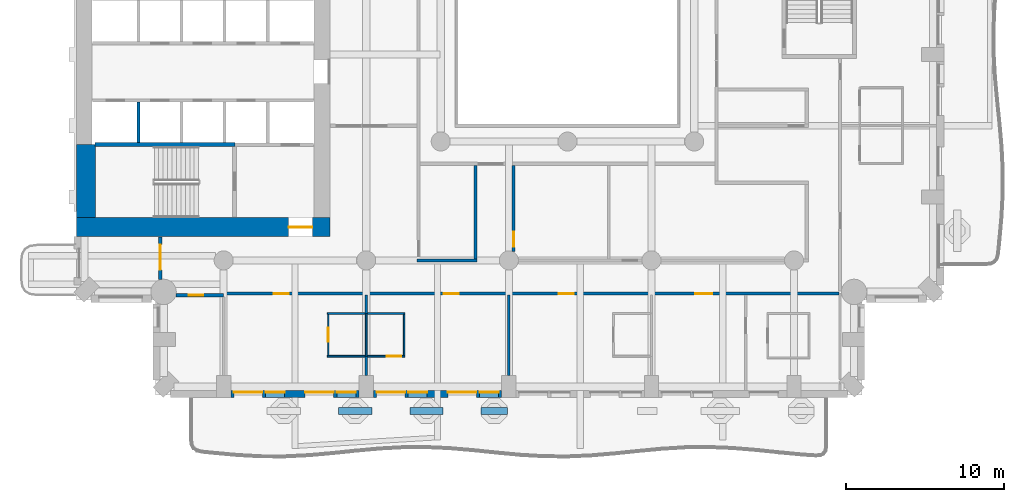
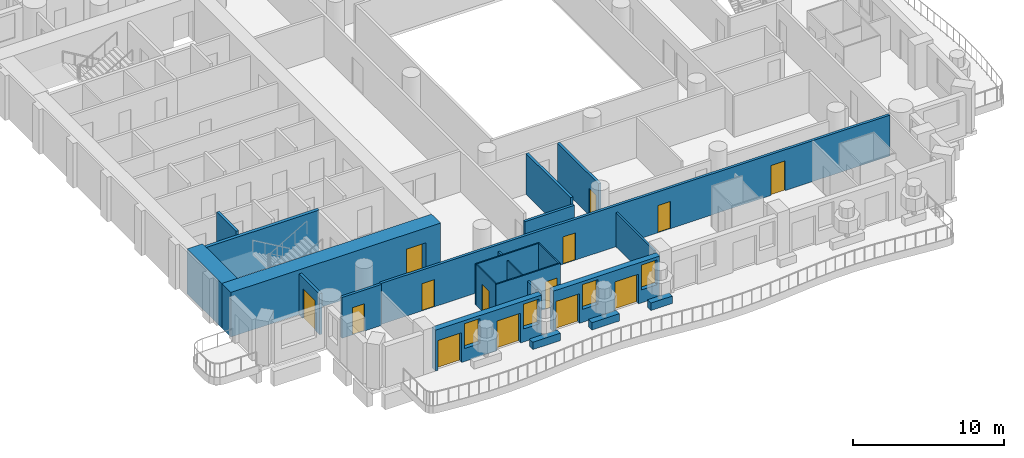
# One storey, part 3 of 19: 23 walls, 14 doors, 4 windows, 18 openings.
"""IFC4 building model written with IfcOpenShell, lengths in metres."""

from ifc_helpers import new_model, si_unit, direction, frame, frame_2d, origin, place, context, subcontext, project, spatial, rectangle, extrude, material, layer, layer_set, type_object, element, fill, save


model = new_model("IFC4")

# Units and contexts
model_context = context("Model", 3, precision=1e-05, world=origin(), true_north=direction((0.0, 1.0)))
body_context = subcontext(model_context, "Body", "Model", "MODEL_VIEW")
ifc_project = project(units=[si_unit("LENGTHUNIT", "METRE"), si_unit("AREAUNIT", "SQUARE_METRE"), si_unit("VOLUMEUNIT", "CUBIC_METRE"), si_unit("PLANEANGLEUNIT", "RADIAN"), si_unit("MASSUNIT", "GRAM", prefix="KILO")], contexts=[model_context])

# Site, building, storey
site_placement = place(None, origin())
site = spatial("IfcSite", under=ifc_project, at=site_placement, CompositionType="ELEMENT")
building_placement = place(site_placement, origin())
building = spatial("IfcBuilding", under=site, at=building_placement, Name="Cypress Arch Tower", CompositionType="ELEMENT")
storey_placement = place(building_placement, frame((0.0, 0.0, 69.89990234375)))
storey = spatial("IfcBuildingStorey", under=building, at=storey_placement, Name="L11", CompositionType="ELEMENT", Elevation=69.89990234375)

# Walls
ifc_material_1 = material(Name="Concrete C40/50, waterproofed", Category="concrete")
ifc_layer_1 = layer(ifc_material_1, 0.449951171875)
ifc_layer_set_1 = layer_set([ifc_layer_1], Name="Balcony planter wall PW450")
wall_type_1 = type_object("IfcWallType", Name="Balcony planter wall PW450", PredefinedType="SOLIDWALL", material=ifc_layer_set_1)
for number, where, z_axis, x_axis, name in (
    (1, (-13.449951171875, -27.0, 0.0), (0.0, 0.0, 1.0), (1.0, 0.0, 0.0), "Balcony planter wall L11-A03.2"),
    (2, (-8.949951171875, -27.0, 0.0), (0.0, 0.0, 1.0), (1.0, 0.0, 0.0), "Balcony planter wall L11-A03.3"),
):
    element("IfcWall", number, at=place(storey_placement, frame(where, z_axis=z_axis, x_axis=x_axis)), inside=storey, type_object=wall_type_1, Name=name, PredefinedType="SOLIDWALL", context=body_context, shape_type="SweptSolid", body=[
        extrude(rectangle(XDim=2.099853515625, YDim=0.449951171875, at=frame_2d((1.0498046875, 0.0))), origin(), (0.0, 0.0, 1.0), 0.60009765625),
    ])
wall_1_placement = place(storey_placement, frame((-4.449951171875, -27.0, 0.0), z_axis=(0.0, 0.0, 1.0), x_axis=(1.0, 0.0, 0.0)))
element("IfcWall", 3, at=wall_1_placement, inside=storey, type_object=wall_type_1, Name="Balcony planter wall L11-A03.4", PredefinedType="SOLIDWALL", context=body_context, shape_type="SweptSolid", body=[
    extrude(rectangle(XDim=1.64990234375, YDim=0.449951171875, at=frame_2d((0.824951171875, 0.0))), origin(), (0.0, 0.0, 1.0), 0.60009765625),
])

# Wall, openings, doors, windows
ifc_material_2 = material(Name="Brick (red buff blend)", Category="masonry")
ifc_layer_2 = layer(ifc_material_2, 0.449951171875)
ifc_layer_set_2 = layer_set([ifc_layer_2], Name="Brick pier and spandrel wall BW450")
wall_type_2 = type_object("IfcWallType", Name="Brick pier and spandrel wall BW450", PredefinedType="SOLIDWALL", material=ifc_layer_set_2)
wall_2_placement = place(storey_placement, frame((-20.25, -25.925048828125, 0.0), z_axis=(0.0, 0.0, 1.0), x_axis=(1.0, 0.0, 0.0)))
wall_2 = element("IfcWall", 4, at=wall_2_placement, inside=storey, type_object=wall_type_2, Name="Brick wall L11 A03.1", PredefinedType="SOLIDWALL", context=body_context, shape_type="SweptSolid", body=[
    extrude(rectangle(XDim=8.10009765625, YDim=0.449951171875, at=frame_2d((4.050048828125, 0.0))), origin(), (0.0, 0.0, 1.0), 3.300048828125),
])
opening_1_placement = place(wall_2_placement, frame((0.199951171875, 0.0, 0.0)))
opening_1 = element("IfcOpeningElement", 5, at=opening_1_placement, cuts=wall_2, Name="Opening D-L11-A03.1.1", PredefinedType="OPENING", context=body_context, shape_type="SweptSolid", body=[
    extrude(rectangle(XDim=1.800048828125, YDim=2.39990234375, at=frame_2d((0.89990234375, 1.199951171875))), frame((0.0, 0.23486328125, 0.0), z_axis=(0.0, -1.0, 0.0), x_axis=(1.0, 0.0, 0.0)), (0.0, 0.0, 1.0), 0.469970703125),
])
opening_2_placement = place(wall_2_placement, frame((2.199951171875, 0.0, 1.050048828125)))
opening_2 = element("IfcOpeningElement", 6, at=opening_2_placement, cuts=wall_2, Name="Opening W120HD", PredefinedType="OPENING", context=body_context, shape_type="SweptSolid", body=[
    extrude(rectangle(XDim=1.199951171875, YDim=2.0, at=frame_2d((0.60009765625, 1.0))), frame((0.0, 0.23486328125, 0.0), z_axis=(0.0, -1.0, 0.0), x_axis=(1.0, 0.0, 0.0)), (0.0, 0.0, 1.0), 0.469970703125),
])
opening_3_placement = place(wall_2_placement, frame((4.699951171875, 0.0, 0.0)))
opening_3 = element("IfcOpeningElement", 7, at=opening_3_placement, cuts=wall_2, Name="Opening D-L11-A03.1.2", PredefinedType="OPENING", context=body_context, shape_type="SweptSolid", body=[
    extrude(rectangle(XDim=1.800048828125, YDim=2.39990234375, at=frame_2d((0.89990234375, 1.199951171875))), frame((0.0, 0.23486328125, 0.0), z_axis=(0.0, -1.0, 0.0), x_axis=(1.0, 0.0, 0.0)), (0.0, 0.0, 1.0), 0.469970703125),
])
opening_4_placement = place(wall_2_placement, frame((6.699951171875, 0.0, 1.050048828125)))
opening_4 = element("IfcOpeningElement", 8, at=opening_4_placement, cuts=wall_2, Name="Opening W120HD", PredefinedType="OPENING", context=body_context, shape_type="SweptSolid", body=[
    extrude(rectangle(XDim=1.199951171875, YDim=2.0, at=frame_2d((0.60009765625, 1.0))), frame((0.0, 0.23486328125, 0.0), z_axis=(0.0, -1.0, 0.0), x_axis=(1.0, 0.0, 0.0)), (0.0, 0.0, 1.0), 0.469970703125),
])
ifc_material_3 = material(Name="Anodised aluminium, bronze finish, laminated low-emissivity double glazing, large-missile impact rated", Category="aluminium")
door_type_1 = type_object("IfcDoorType", Name="Balcony sliding door 1800x2400", OperationType="SLIDING_TO_LEFT", PredefinedType="DOOR", material=ifc_material_3)
door_1_placement = place(opening_1_placement, origin())
door_1 = element("IfcDoor", 9, at=door_1_placement, inside=storey, type_object=door_type_1, Name="Balcony door L11 A03.1.1", OperationType="SLIDING_TO_LEFT", OverallHeight=2.39990234375, OverallWidth=1.800048828125, PredefinedType="DOOR", context=body_context, shape_type="SweptSolid", body=[
    extrude(rectangle(XDim=1.800048828125, YDim=2.39990234375, at=frame_2d((0.89990234375, 1.199951171875))), frame((0.0, 0.1298828125, 0.0), z_axis=(0.0, -1.0, 0.0), x_axis=(1.0, 0.0, 0.0)), (0.0, 0.0, 1.0), 0.050048828125),
])
fill(opening_1, door_1)
door_2_placement = place(opening_3_placement, origin())
door_2 = element("IfcDoor", 10, at=door_2_placement, inside=storey, type_object=door_type_1, Name="Balcony door L11 A03.1.2", OperationType="SLIDING_TO_LEFT", OverallHeight=2.39990234375, OverallWidth=1.800048828125, PredefinedType="DOOR", context=body_context, shape_type="SweptSolid", body=[
    extrude(rectangle(XDim=1.800048828125, YDim=2.39990234375, at=frame_2d((0.89990234375, 1.199951171875))), frame((0.0, 0.1298828125, 0.0), z_axis=(0.0, -1.0, 0.0), x_axis=(1.0, 0.0, 0.0)), (0.0, 0.0, 1.0), 0.050048828125),
])
fill(opening_3, door_2)
ifc_material_4 = material(Name="Anodised aluminium, bronze finish, laminated low-emissivity double glazing, large-missile impact rated", Category="aluminium")
window_type = type_object("IfcWindowType", Name="Window Hotel 1200x2000 debris-rated", PartitioningType="SINGLE_PANEL", PredefinedType="WINDOW", material=ifc_material_4)
window_1_placement = place(opening_2_placement, origin())
window_1 = element("IfcWindow", 11, at=window_1_placement, inside=storey, type_object=window_type, Name="Window L11 A03.1.1", OverallHeight=2.0, OverallWidth=1.199951171875, PartitioningType="SINGLE_PANEL", PredefinedType="WINDOW", context=body_context, shape_type="SweptSolid", body=[
    extrude(rectangle(XDim=1.199951171875, YDim=2.0, at=frame_2d((0.60009765625, 1.0))), frame((0.0, 0.135009765625, 0.0), z_axis=(0.0, -1.0, 0.0), x_axis=(1.0, 0.0, 0.0)), (0.0, 0.0, 1.0), 0.06005859375),
])
fill(opening_2, window_1)
window_2_placement = place(opening_4_placement, origin())
window_2 = element("IfcWindow", 12, at=window_2_placement, inside=storey, type_object=window_type, Name="Window L11 A03.1.2", OverallHeight=2.0, OverallWidth=1.199951171875, PartitioningType="SINGLE_PANEL", PredefinedType="WINDOW", context=body_context, shape_type="SweptSolid", body=[
    extrude(rectangle(XDim=1.199951171875, YDim=2.0, at=frame_2d((0.60009765625, 1.0))), frame((0.0, 0.135009765625, 0.0), z_axis=(0.0, -1.0, 0.0), x_axis=(1.0, 0.0, 0.0)), (0.0, 0.0, 1.0), 0.06005859375),
])
fill(opening_4, window_2)

wall_3_placement = place(storey_placement, frame((-11.25, -25.925048828125, 0.0), z_axis=(0.0, 0.0, 1.0), x_axis=(1.0, 0.0, 0.0)))
wall_3 = element("IfcWall", 13, at=wall_3_placement, inside=storey, type_object=wall_type_2, Name="Brick wall L11 A03.2", PredefinedType="SOLIDWALL", context=body_context, shape_type="SweptSolid", body=[
    extrude(rectangle(XDim=8.10009765625, YDim=0.449951171875, at=frame_2d((4.050048828125, 0.0))), origin(), (0.0, 0.0, 1.0), 3.300048828125),
])
opening_5_placement = place(wall_3_placement, frame((0.199951171875, 0.0, 0.0)))
opening_5 = element("IfcOpeningElement", 14, at=opening_5_placement, cuts=wall_3, Name="Opening D-L11-A03.2.1", PredefinedType="OPENING", context=body_context, shape_type="SweptSolid", body=[
    extrude(rectangle(XDim=1.800048828125, YDim=2.39990234375, at=frame_2d((0.89990234375, 1.199951171875))), frame((0.0, 0.23486328125, 0.0), z_axis=(0.0, -1.0, 0.0), x_axis=(1.0, 0.0, 0.0)), (0.0, 0.0, 1.0), 0.469970703125),
])
opening_6_placement = place(wall_3_placement, frame((2.199951171875, 0.0, 1.050048828125)))
opening_6 = element("IfcOpeningElement", 15, at=opening_6_placement, cuts=wall_3, Name="Opening W120HD", PredefinedType="OPENING", context=body_context, shape_type="SweptSolid", body=[
    extrude(rectangle(XDim=1.199951171875, YDim=2.0, at=frame_2d((0.60009765625, 1.0))), frame((0.0, 0.23486328125, 0.0), z_axis=(0.0, -1.0, 0.0), x_axis=(1.0, 0.0, 0.0)), (0.0, 0.0, 1.0), 0.469970703125),
])
opening_7_placement = place(wall_3_placement, frame((4.699951171875, 0.0, 0.0)))
opening_7 = element("IfcOpeningElement", 16, at=opening_7_placement, cuts=wall_3, Name="Opening D-L11-A03.2.2", PredefinedType="OPENING", context=body_context, shape_type="SweptSolid", body=[
    extrude(rectangle(XDim=1.800048828125, YDim=2.39990234375, at=frame_2d((0.89990234375, 1.199951171875))), frame((0.0, 0.23486328125, 0.0), z_axis=(0.0, -1.0, 0.0), x_axis=(1.0, 0.0, 0.0)), (0.0, 0.0, 1.0), 0.469970703125),
])
opening_8_placement = place(wall_3_placement, frame((6.699951171875, 0.0, 1.050048828125)))
opening_8 = element("IfcOpeningElement", 17, at=opening_8_placement, cuts=wall_3, Name="Opening W120HD", PredefinedType="OPENING", context=body_context, shape_type="SweptSolid", body=[
    extrude(rectangle(XDim=1.199951171875, YDim=2.0, at=frame_2d((0.60009765625, 1.0))), frame((0.0, 0.23486328125, 0.0), z_axis=(0.0, -1.0, 0.0), x_axis=(1.0, 0.0, 0.0)), (0.0, 0.0, 1.0), 0.469970703125),
])
door_3_placement = place(opening_5_placement, origin())
door_3 = element("IfcDoor", 18, at=door_3_placement, inside=storey, type_object=door_type_1, Name="Balcony door L11 A03.2.1", OperationType="SLIDING_TO_LEFT", OverallHeight=2.39990234375, OverallWidth=1.800048828125, PredefinedType="DOOR", context=body_context, shape_type="SweptSolid", body=[
    extrude(rectangle(XDim=1.800048828125, YDim=2.39990234375, at=frame_2d((0.89990234375, 1.199951171875))), frame((0.0, 0.1298828125, 0.0), z_axis=(0.0, -1.0, 0.0), x_axis=(1.0, 0.0, 0.0)), (0.0, 0.0, 1.0), 0.050048828125),
])
fill(opening_5, door_3)
door_4_placement = place(opening_7_placement, origin())
door_4 = element("IfcDoor", 19, at=door_4_placement, inside=storey, type_object=door_type_1, Name="Balcony door L11 A03.2.2", OperationType="SLIDING_TO_LEFT", OverallHeight=2.39990234375, OverallWidth=1.800048828125, PredefinedType="DOOR", context=body_context, shape_type="SweptSolid", body=[
    extrude(rectangle(XDim=1.800048828125, YDim=2.39990234375, at=frame_2d((0.89990234375, 1.199951171875))), frame((0.0, 0.1298828125, 0.0), z_axis=(0.0, -1.0, 0.0), x_axis=(1.0, 0.0, 0.0)), (0.0, 0.0, 1.0), 0.050048828125),
])
fill(opening_7, door_4)
window_3_placement = place(opening_6_placement, origin())
window_3 = element("IfcWindow", 20, at=window_3_placement, inside=storey, type_object=window_type, Name="Window L11 A03.2.1", OverallHeight=2.0, OverallWidth=1.199951171875, PartitioningType="SINGLE_PANEL", PredefinedType="WINDOW", context=body_context, shape_type="SweptSolid", body=[
    extrude(rectangle(XDim=1.199951171875, YDim=2.0, at=frame_2d((0.60009765625, 1.0))), frame((0.0, 0.135009765625, 0.0), z_axis=(0.0, -1.0, 0.0), x_axis=(1.0, 0.0, 0.0)), (0.0, 0.0, 1.0), 0.06005859375),
])
fill(opening_6, window_3)
window_4_placement = place(opening_8_placement, origin())
window_4 = element("IfcWindow", 21, at=window_4_placement, inside=storey, type_object=window_type, Name="Window L11 A03.2.2", OverallHeight=2.0, OverallWidth=1.199951171875, PartitioningType="SINGLE_PANEL", PredefinedType="WINDOW", context=body_context, shape_type="SweptSolid", body=[
    extrude(rectangle(XDim=1.199951171875, YDim=2.0, at=frame_2d((0.60009765625, 1.0))), frame((0.0, 0.135009765625, 0.0), z_axis=(0.0, -1.0, 0.0), x_axis=(1.0, 0.0, 0.0)), (0.0, 0.0, 1.0), 0.06005859375),
])
fill(opening_8, window_4)

# Wall, opening, door
ifc_material_5 = material(Name="Concrete C80/95", Category="concrete")
ifc_layer_3 = layer(ifc_material_5, 1.199951171875)
ifc_layer_set_3 = layer_set([ifc_layer_3], Name="Core wall CW1200 C80/95")
wall_type_3 = type_object("IfcWallType", Name="Core wall CW1200 C80/95", PredefinedType="SHEAR", material=ifc_layer_set_3)
wall_4_placement = place(storey_placement, frame((-30.0, -15.39990234375, 0.0), z_axis=(0.0, 0.0, 1.0), x_axis=(1.0, 0.0, 0.0)))
wall_4 = element("IfcWall", 22, at=wall_4_placement, inside=storey, type_object=wall_type_3, Name="Core wall", PredefinedType="SHEAR", context=body_context, shape_type="SweptSolid", body=[
    extrude(rectangle(XDim=16.0, YDim=1.199951171875, at=frame_2d((8.0, 0.0))), origin(), (0.0, 0.0, 1.0), 3.60009765625),
])
opening_9_placement = place(wall_4_placement, frame((13.39990234375, 0.0, 0.0)))
opening_9 = element("IfcOpeningElement", 23, at=opening_9_placement, cuts=wall_4, Name="Opening D07", PredefinedType="OPENING", context=body_context, shape_type="SweptSolid", body=[
    extrude(rectangle(XDim=1.5, YDim=2.39990234375, at=frame_2d((0.75, 1.199951171875))), frame((0.0, 0.60986328125, 0.0), z_axis=(0.0, -1.0, 0.0), x_axis=(1.0, 0.0, 0.0)), (0.0, 0.0, 1.0), 1.219970703125),
])
ifc_material_6 = material(Name="Steel framed glazed door, fire resisting", Category="steel")
door_type_2 = type_object("IfcDoorType", Name="Lobby door D07 1500x2400", OperationType="DOUBLE_DOOR_SINGLE_SWING", PredefinedType="DOOR", material=ifc_material_6)
door_5_placement = place(opening_9_placement, origin())
door_5 = element("IfcDoor", 24, at=door_5_placement, inside=storey, type_object=door_type_2, Name="Lobby door", OperationType="DOUBLE_DOOR_SINGLE_SWING", OverallHeight=2.39990234375, OverallWidth=1.5, PredefinedType="DOOR", context=body_context, shape_type="SweptSolid", body=[
    extrude(rectangle(XDim=1.5, YDim=2.39990234375, at=frame_2d((0.75, 1.199951171875))), frame((0.0, 0.02490234375, 0.0), z_axis=(0.0, -1.0, 0.0), x_axis=(1.0, 0.0, 0.0)), (0.0, 0.0, 1.0), 0.050048828125),
])
fill(opening_9, door_5)

# Wall
wall_5_placement = place(storey_placement, frame((-29.39990234375, -14.800048828125, 0.0), z_axis=(0.0, 0.0, 1.0), x_axis=(0.0, 1.0, 0.0)))
element("IfcWall", 25, at=wall_5_placement, inside=storey, type_object=wall_type_3, Name="Core wall", PredefinedType="SHEAR", context=body_context, shape_type="SweptSolid", body=[
    extrude(rectangle(XDim=4.60009765625, YDim=1.199951171875, at=frame_2d((2.300048828125, 0.0))), origin(), (0.0, 0.0, 1.0), 3.60009765625),
])

# Wall, opening, door
ifc_material_7 = material(Name="Concrete blockwork, plastered, rated", Category="masonry")
ifc_layer_4 = layer(ifc_material_7, 0.199951171875)
ifc_layer_set_4 = layer_set([ifc_layer_4], Name="Corridor wall FW200")
wall_type_4 = type_object("IfcWallType", Name="Corridor wall FW200", PredefinedType="PARTITIONING", material=ifc_layer_set_4)
wall_6_placement = place(storey_placement, frame((-24.699951171875, -18.7001953125, 0.0), z_axis=(0.0, 0.0, 1.0), x_axis=(0.0, 1.0, 0.0)))
wall_6 = element("IfcWall", 26, at=wall_6_placement, inside=storey, type_object=wall_type_4, Name="Corridor wall", PredefinedType="PARTITIONING", context=body_context, shape_type="SweptSolid", body=[
    extrude(rectangle(XDim=2.670166015625, YDim=0.199951171875, at=frame_2d((1.3349609375, 0.0))), origin(), (0.0, 0.0, 1.0), 3.300048828125),
])
opening_10_placement = place(wall_6_placement, frame((0.60009765625, 0.0, 0.0)))
opening_10 = element("IfcOpeningElement", 27, at=opening_10_placement, cuts=wall_6, Name="Opening D10", PredefinedType="OPENING", context=body_context, shape_type="SweptSolid", body=[
    extrude(rectangle(XDim=1.60009765625, YDim=2.39990234375, at=frame_2d((0.800048828125, 1.199951171875))), frame((0.0, 0.10986328125, 0.0), z_axis=(0.0, -1.0, 0.0), x_axis=(1.0, 0.0, 0.0)), (0.0, 0.0, 1.0), 0.219970703125),
])
ifc_material_8 = material(Name="Black aluminium glazed door", Category="aluminium")
door_type_3 = type_object("IfcDoorType", Name="Amenity door D10 1600x2400", OperationType="DOUBLE_DOOR_SINGLE_SWING", PredefinedType="DOOR", material=ifc_material_8)
door_6_placement = place(opening_10_placement, origin())
door_6 = element("IfcDoor", 28, at=door_6_placement, inside=storey, type_object=door_type_3, Name="Amenity door", OperationType="DOUBLE_DOOR_SINGLE_SWING", OverallHeight=2.39990234375, OverallWidth=1.60009765625, PredefinedType="DOOR", context=body_context, shape_type="SweptSolid", body=[
    extrude(rectangle(XDim=1.60009765625, YDim=2.39990234375, at=frame_2d((0.800048828125, 1.199951171875))), frame((0.0, 0.02490234375, 0.0), z_axis=(0.0, -1.0, 0.0), x_axis=(1.0, 0.0, 0.0)), (0.0, 0.0, 1.0), 0.050048828125),
])
fill(opening_10, door_6)

wall_7_placement = place(storey_placement, frame((-23.7001953125, -19.699951171875, 0.0), z_axis=(0.0, 0.0, 1.0), x_axis=(1.0, 0.0, 0.0)))
wall_7 = element("IfcWall", 29, at=wall_7_placement, inside=storey, type_object=wall_type_4, Name="Corridor wall", PredefinedType="PARTITIONING", context=body_context, shape_type="SweptSolid", body=[
    extrude(rectangle(XDim=3.000244140625, YDim=0.199951171875, at=frame_2d((1.5, 0.0))), origin(), (0.0, 0.0, 1.0), 3.300048828125),
])
opening_11_placement = place(wall_7_placement, frame((0.800048828125, 0.0, 0.0)))
opening_11 = element("IfcOpeningElement", 30, at=opening_11_placement, cuts=wall_7, Name="Opening D05", PredefinedType="OPENING", context=body_context, shape_type="SweptSolid", body=[
    extrude(rectangle(XDim=0.89990234375, YDim=2.199951171875, at=frame_2d((0.449951171875, 1.10009765625))), frame((0.0, 0.10986328125, 0.0), z_axis=(0.0, -1.0, 0.0), x_axis=(1.0, 0.0, 0.0)), (0.0, 0.0, 1.0), 0.219970703125),
])
ifc_material_9 = material(Name="Timber flush door", Category="wood")
door_type_4 = type_object("IfcDoorType", Name="Service door D05 900x2200", OperationType="SINGLE_SWING_LEFT", PredefinedType="DOOR", material=ifc_material_9)
door_7_placement = place(opening_11_placement, origin())
door_7 = element("IfcDoor", 31, at=door_7_placement, inside=storey, type_object=door_type_4, Name="Service door", OperationType="SINGLE_SWING_RIGHT", OverallHeight=2.199951171875, OverallWidth=0.89990234375, PredefinedType="DOOR", context=body_context, shape_type="SweptSolid", body=[
    extrude(rectangle(XDim=0.89990234375, YDim=2.199951171875, at=frame_2d((0.449951171875, 1.10009765625))), frame((0.0, 0.02490234375, 0.0), z_axis=(0.0, -1.0, 0.0), x_axis=(1.0, 0.0, 0.0)), (0.0, 0.0, 1.0), 0.050048828125),
])
fill(opening_11, door_7)

# Wall, openings, doors
wall_8_placement = place(storey_placement, frame((-20.699951171875, -19.60009765625, 0.0), z_axis=(0.0, 0.0, 1.0), x_axis=(1.0, 0.0, 0.0)))
wall_8 = element("IfcWall", 32, at=wall_8_placement, inside=storey, type_object=wall_type_4, Name="Corridor wall", PredefinedType="PARTITIONING", context=body_context, shape_type="SweptSolid", body=[
    extrude(rectangle(XDim=38.824951171875, YDim=0.199951171875, at=frame_2d((19.41259765625, 0.0))), origin(), (0.0, 0.0, 1.0), 3.300048828125),
])
opening_12_placement = place(wall_8_placement, frame((3.14990234375, 0.0, 0.0)))
opening_12 = element("IfcOpeningElement", 33, at=opening_12_placement, cuts=wall_8, Name="Opening D02", PredefinedType="OPENING", context=body_context, shape_type="SweptSolid", body=[
    extrude(rectangle(XDim=0.949951171875, YDim=2.199951171875, at=frame_2d((0.47509765625, 1.10009765625))), frame((0.0, 0.10986328125, 0.0), z_axis=(0.0, -1.0, 0.0), x_axis=(1.0, 0.0, 0.0)), (0.0, 0.0, 1.0), 0.219970703125),
])
opening_13_placement = place(wall_8_placement, frame((13.89990234375, 0.0, 0.0)))
opening_13 = element("IfcOpeningElement", 34, at=opening_13_placement, cuts=wall_8, Name="Opening D02", PredefinedType="OPENING", context=body_context, shape_type="SweptSolid", body=[
    extrude(rectangle(XDim=0.949951171875, YDim=2.199951171875, at=frame_2d((0.47509765625, 1.10009765625))), frame((0.0, 0.10986328125, 0.0), z_axis=(0.0, -1.0, 0.0), x_axis=(1.0, 0.0, 0.0)), (0.0, 0.0, 1.0), 0.219970703125),
])
opening_14_placement = place(wall_8_placement, frame((21.14990234375, 0.0, 0.0)))
opening_14 = element("IfcOpeningElement", 35, at=opening_14_placement, cuts=wall_8, Name="Opening D02", PredefinedType="OPENING", context=body_context, shape_type="SweptSolid", body=[
    extrude(rectangle(XDim=0.949951171875, YDim=2.199951171875, at=frame_2d((0.47509765625, 1.10009765625))), frame((0.0, 0.10986328125, 0.0), z_axis=(0.0, -1.0, 0.0), x_axis=(1.0, 0.0, 0.0)), (0.0, 0.0, 1.0), 0.219970703125),
])
opening_15_placement = place(wall_8_placement, frame((29.75, 0.0, 0.0)))
opening_15 = element("IfcOpeningElement", 36, at=opening_15_placement, cuts=wall_8, Name="Opening D01", PredefinedType="OPENING", context=body_context, shape_type="SweptSolid", body=[
    extrude(rectangle(XDim=1.10009765625, YDim=2.39990234375, at=frame_2d((0.550048828125, 1.199951171875))), frame((0.0, 0.10986328125, 0.0), z_axis=(0.0, -1.0, 0.0), x_axis=(1.0, 0.0, 0.0)), (0.0, 0.0, 1.0), 0.219970703125),
])
ifc_material_10 = material(Name="Timber flush door, fire resisting", Category="wood")
door_type_5 = type_object("IfcDoorType", Name="Room door D02 950x2200", OperationType="SINGLE_SWING_LEFT", PredefinedType="DOOR", material=ifc_material_10)
door_8_placement = place(opening_12_placement, origin())
door_8 = element("IfcDoor", 37, at=door_8_placement, inside=storey, type_object=door_type_5, Name="Room door", OperationType="SINGLE_SWING_RIGHT", OverallHeight=2.199951171875, OverallWidth=0.949951171875, PredefinedType="DOOR", context=body_context, shape_type="SweptSolid", body=[
    extrude(rectangle(XDim=0.949951171875, YDim=2.199951171875, at=frame_2d((0.47509765625, 1.10009765625))), frame((0.0, 0.02490234375, 0.0), z_axis=(0.0, -1.0, 0.0), x_axis=(1.0, 0.0, 0.0)), (0.0, 0.0, 1.0), 0.050048828125),
])
fill(opening_12, door_8)
door_9_placement = place(opening_13_placement, origin())
door_9 = element("IfcDoor", 38, at=door_9_placement, inside=storey, type_object=door_type_5, Name="Room door", OperationType="SINGLE_SWING_RIGHT", OverallHeight=2.199951171875, OverallWidth=0.949951171875, PredefinedType="DOOR", context=body_context, shape_type="SweptSolid", body=[
    extrude(rectangle(XDim=0.949951171875, YDim=2.199951171875, at=frame_2d((0.47509765625, 1.10009765625))), frame((0.0, 0.02490234375, 0.0), z_axis=(0.0, -1.0, 0.0), x_axis=(1.0, 0.0, 0.0)), (0.0, 0.0, 1.0), 0.050048828125),
])
fill(opening_13, door_9)
door_10_placement = place(opening_14_placement, origin())
door_10 = element("IfcDoor", 39, at=door_10_placement, inside=storey, type_object=door_type_5, Name="Room door", OperationType="SINGLE_SWING_LEFT", OverallHeight=2.199951171875, OverallWidth=0.949951171875, PredefinedType="DOOR", context=body_context, shape_type="SweptSolid", body=[
    extrude(rectangle(XDim=0.949951171875, YDim=2.199951171875, at=frame_2d((0.47509765625, 1.10009765625))), frame((0.0, 0.02490234375, 0.0), z_axis=(0.0, -1.0, 0.0), x_axis=(1.0, 0.0, 0.0)), (0.0, 0.0, 1.0), 0.050048828125),
])
fill(opening_14, door_10)
ifc_material_11 = material(Name="Timber flush door, fire resisting, self-closing", Category="wood")
door_type_6 = type_object("IfcDoorType", Name="Unit entrance door D01 1100x2400", OperationType="SINGLE_SWING_LEFT", PredefinedType="DOOR", material=ifc_material_11)
door_11_placement = place(opening_15_placement, origin())
door_11 = element("IfcDoor", 40, at=door_11_placement, inside=storey, type_object=door_type_6, Name="Unit entrance door", OperationType="SINGLE_SWING_LEFT", OverallHeight=2.39990234375, OverallWidth=1.10009765625, PredefinedType="DOOR", context=body_context, shape_type="SweptSolid", body=[
    extrude(rectangle(XDim=1.10009765625, YDim=2.39990234375, at=frame_2d((0.550048828125, 1.199951171875))), frame((0.0, 0.02490234375, 0.0), z_axis=(0.0, -1.0, 0.0), x_axis=(1.0, 0.0, 0.0)), (0.0, 0.0, 1.0), 0.050048828125),
])
fill(opening_15, door_11)

# Walls
wall_9_placement = place(storey_placement, frame((-8.5, -17.5, 0.0), z_axis=(0.0, 0.0, 1.0), x_axis=(1.0, 0.0, 0.0)))
element("IfcWall", 41, at=wall_9_placement, inside=storey, type_object=wall_type_4, Name="Corridor wall", PredefinedType="PARTITIONING", context=body_context, shape_type="SweptSolid", body=[
    extrude(rectangle(XDim=3.800048828125, YDim=0.199951171875, at=frame_2d((1.89990234375, 0.0))), origin(), (0.0, 0.0, 1.0), 2.75),
])
wall_10_placement = place(storey_placement, frame((-4.800048828125, -17.39990234375, 0.0), z_axis=(0.0, 0.0, 1.0), x_axis=(0.0, 1.0, 0.0)))
element("IfcWall", 42, at=wall_10_placement, inside=storey, type_object=wall_type_4, Name="Corridor wall", PredefinedType="PARTITIONING", context=body_context, shape_type="SweptSolid", body=[
    extrude(rectangle(XDim=5.89990234375, YDim=0.199951171875, at=frame_2d((2.949951171875, 0.0))), origin(), (0.0, 0.0, 1.0), 3.300048828125),
])

# Wall, opening, door
wall_11_placement = place(storey_placement, frame((-2.39990234375, -16.943359375, 0.0), z_axis=(0.0, 0.0, 1.0), x_axis=(0.0, 1.0, 0.0)))
wall_11 = element("IfcWall", 43, at=wall_11_placement, inside=storey, type_object=wall_type_4, Name="Corridor wall", PredefinedType="PARTITIONING", context=body_context, shape_type="SweptSolid", body=[
    extrude(rectangle(XDim=5.443359375, YDim=0.199951171875, at=frame_2d((2.7216796875, 0.0))), origin(), (0.0, 0.0, 1.0), 3.300048828125),
])
opening_16_placement = place(wall_11_placement, frame((0.300048828125, 0.0, 0.0)))
opening_16 = element("IfcOpeningElement", 44, at=opening_16_placement, cuts=wall_11, Name="Opening D02", PredefinedType="OPENING", context=body_context, shape_type="SweptSolid", body=[
    extrude(rectangle(XDim=0.949951171875, YDim=2.199951171875, at=frame_2d((0.47509765625, 1.10009765625))), frame((0.0, 0.10986328125, 0.0), z_axis=(0.0, -1.0, 0.0), x_axis=(1.0, 0.0, 0.0)), (0.0, 0.0, 1.0), 0.219970703125),
])
door_12_placement = place(opening_16_placement, origin())
door_12 = element("IfcDoor", 45, at=door_12_placement, inside=storey, type_object=door_type_5, Name="Room door", OperationType="SINGLE_SWING_RIGHT", OverallHeight=2.199951171875, OverallWidth=0.949951171875, PredefinedType="DOOR", context=body_context, shape_type="SweptSolid", body=[
    extrude(rectangle(XDim=0.949951171875, YDim=2.199951171875, at=frame_2d((0.47509765625, 1.10009765625))), frame((0.0, 0.02490234375, 0.0), z_axis=(0.0, -1.0, 0.0), x_axis=(1.0, 0.0, 0.0)), (0.0, 0.0, 1.0), 0.050048828125),
])
fill(opening_16, door_12)

# Walls
ifc_material_12 = material(Name="Blockwork, plastered both sides", Category="masonry")
ifc_layer_5 = layer(ifc_material_12, 0.14990234375)
ifc_layer_set_5 = layer_set([ifc_layer_5], Name="Partition PW150")
wall_type_5 = type_object("IfcWallType", Name="Partition PW150", PredefinedType="PARTITIONING", material=ifc_layer_set_5)
wall_12_placement = place(storey_placement, frame((-11.699951171875, -24.75, 0.0), z_axis=(0.0, 0.0, 1.0), x_axis=(0.0, 1.0, 0.0)))
element("IfcWall", 46, at=wall_12_placement, inside=storey, type_object=wall_type_5, Name="Partition", PredefinedType="PARTITIONING", context=body_context, shape_type="SweptSolid", body=[
    extrude(rectangle(XDim=1.179931640625, YDim=0.14990234375, at=frame_2d((0.58984375, 0.0))), origin(), (0.0, 0.0, 1.0), 2.75),
])
wall_13_placement = place(storey_placement, frame((-11.699951171875, -20.85009765625, 0.0), z_axis=(0.0, 0.0, 1.0), x_axis=(0.0, 1.0, 0.0)))
element("IfcWall", 47, at=wall_13_placement, inside=storey, type_object=wall_type_5, Name="Partition", PredefinedType="PARTITIONING", context=body_context, shape_type="SweptSolid", body=[
    extrude(rectangle(XDim=1.150146484375, YDim=0.14990234375, at=frame_2d((0.5751953125, 0.0))), origin(), (0.0, 0.0, 1.0), 2.75),
])
wall_14_placement = place(storey_placement, frame((-2.699951171875, -24.75, 0.0), z_axis=(0.0, 0.0, 1.0), x_axis=(0.0, 1.0, 0.0)))
element("IfcWall", 48, at=wall_14_placement, inside=storey, type_object=wall_type_5, Name="Partition", PredefinedType="PARTITIONING", context=body_context, shape_type="SweptSolid", body=[
    extrude(rectangle(XDim=5.050048828125, YDim=0.14990234375, at=frame_2d((2.52490234375, 0.0))), origin(), (0.0, 0.0, 1.0), 2.75),
])
ifc_material_13 = material(Name="Concrete C50/60", Category="concrete")
ifc_layer_6 = layer(ifc_material_13, 0.199951171875)
ifc_layer_set_6 = layer_set([ifc_layer_6], Name="Shaft wall SH200")
wall_type_6 = type_object("IfcWallType", Name="Shaft wall SH200", PredefinedType="SHEAR", material=ifc_layer_set_6)
wall_15_placement = place(storey_placement, frame((-26.080078125, -10.074951171875, 0.0), z_axis=(0.0, 0.0, 1.0), x_axis=(0.0, 1.0, 0.0)))
element("IfcWall", 49, at=wall_15_placement, inside=storey, type_object=wall_type_6, Name="Shaft wall", PredefinedType="SHEAR", context=body_context, shape_type="SweptSolid", body=[
    extrude(rectangle(XDim=2.574951171875, YDim=0.199951171875, at=frame_2d((1.28759765625, 0.0))), origin(), (0.0, 0.0, 1.0), 3.60009765625),
])
ifc_material_14 = material(Name="Concrete C50/60", Category="concrete")
ifc_layer_7 = layer(ifc_material_14, 0.25)
ifc_layer_set_7 = layer_set([ifc_layer_7], Name="Stair enclosure wall SW250")
wall_type_7 = type_object("IfcWallType", Name="Stair enclosure wall SW250", PredefinedType="SHEAR", material=ifc_layer_set_7)
wall_16_placement = place(storey_placement, frame((-28.81005859375, -10.199951171875, 0.0), z_axis=(0.0, 0.0, 1.0), x_axis=(1.0, 0.0, 0.0)))
element("IfcWall", 50, at=wall_16_placement, inside=storey, type_object=wall_type_7, Name="Stair enclosure wall", PredefinedType="SHEAR", context=body_context, shape_type="SweptSolid", body=[
    extrude(rectangle(XDim=8.830078125, YDim=0.25, at=frame_2d((4.4150390625, 0.0))), origin(), (0.0, 0.0, 1.0), 3.300048828125),
])

# Wall, opening, door
ifc_material_15 = material(Name="Moisture resistant board on steel studs, tiled", Category="steel")
ifc_layer_8 = layer(ifc_material_15, 0.10009765625)
ifc_layer_set_8 = layer_set([ifc_layer_8], Name="Wet wall PW100")
wall_type_8 = type_object("IfcWallType", Name="Wet wall PW100", PredefinedType="PARTITIONING", material=ifc_layer_set_8)
wall_17_placement = place(storey_placement, frame((-14.095947265625, -23.5, 0.0), z_axis=(0.0, 0.0, 1.0), x_axis=(0.0, 1.0, 0.0)))
wall_17 = element("IfcWall", 51, at=wall_17_placement, inside=storey, type_object=wall_type_8, Name="Wet wall", PredefinedType="PARTITIONING", context=body_context, shape_type="SweptSolid", body=[
    extrude(rectangle(XDim=2.60009765625, YDim=0.10009765625, at=frame_2d((1.300048828125, 0.0))), origin(), (0.0, 0.0, 1.0), 3.300048828125),
])
opening_17_placement = place(wall_17_placement, frame((0.85009765625, 0.0, 0.0)))
opening_17 = element("IfcOpeningElement", 52, at=opening_17_placement, cuts=wall_17, Name="Opening D03", PredefinedType="OPENING", context=body_context, shape_type="SweptSolid", body=[
    extrude(rectangle(XDim=0.89990234375, YDim=2.199951171875, at=frame_2d((0.449951171875, 1.10009765625))), frame((0.0, 0.06005859375, 0.0), z_axis=(0.0, -1.0, 0.0), x_axis=(1.0, 0.0, 0.0)), (0.0, 0.0, 1.0), 0.1201171875),
])
ifc_material_16 = material(Name="Timber flush door, moisture resistant", Category="wood")
door_type_7 = type_object("IfcDoorType", Name="Bathroom door D03 900x2200", OperationType="SINGLE_SWING_LEFT", PredefinedType="DOOR", material=ifc_material_16)
door_13_placement = place(opening_17_placement, origin())
door_13 = element("IfcDoor", 53, at=door_13_placement, inside=storey, type_object=door_type_7, Name="Bathroom door", OperationType="SINGLE_SWING_LEFT", OverallHeight=2.199951171875, OverallWidth=0.89990234375, PredefinedType="DOOR", context=body_context, shape_type="SweptSolid", body=[
    extrude(rectangle(XDim=0.89990234375, YDim=2.199951171875, at=frame_2d((0.449951171875, 1.10009765625))), frame((0.0, 0.02490234375, 0.0), z_axis=(0.0, -1.0, 0.0), x_axis=(1.0, 0.0, 0.0)), (0.0, 0.0, 1.0), 0.050048828125),
])
fill(opening_17, door_13)

wall_18_placement = place(storey_placement, frame((-14.14599609375, -23.550048828125, 0.0), z_axis=(0.0, 0.0, 1.0), x_axis=(1.0, 0.0, 0.0)))
wall_18 = element("IfcWall", 54, at=wall_18_placement, inside=storey, type_object=wall_type_8, Name="Wet wall", PredefinedType="PARTITIONING", context=body_context, shape_type="SweptSolid", body=[
    extrude(rectangle(XDim=4.89208984375, YDim=0.10009765625, at=frame_2d((2.446044921875, 0.0))), origin(), (0.0, 0.0, 1.0), 3.300048828125),
])
opening_18_placement = place(wall_18_placement, frame((3.75, 0.0, 0.0)))
opening_18 = element("IfcOpeningElement", 55, at=opening_18_placement, cuts=wall_18, Name="Opening D03", PredefinedType="OPENING", context=body_context, shape_type="SweptSolid", body=[
    extrude(rectangle(XDim=0.89990234375, YDim=2.199951171875, at=frame_2d((0.449951171875, 1.10009765625))), frame((0.0, 0.06005859375, 0.0), z_axis=(0.0, -1.0, 0.0), x_axis=(1.0, 0.0, 0.0)), (0.0, 0.0, 1.0), 0.1201171875),
])
door_14_placement = place(opening_18_placement, origin())
door_14 = element("IfcDoor", 56, at=door_14_placement, inside=storey, type_object=door_type_7, Name="Bathroom door", OperationType="SINGLE_SWING_RIGHT", OverallHeight=2.199951171875, OverallWidth=0.89990234375, PredefinedType="DOOR", context=body_context, shape_type="SweptSolid", body=[
    extrude(rectangle(XDim=0.89990234375, YDim=2.199951171875, at=frame_2d((0.449951171875, 1.10009765625))), frame((0.0, 0.02490234375, 0.0), z_axis=(0.0, -1.0, 0.0), x_axis=(1.0, 0.0, 0.0)), (0.0, 0.0, 1.0), 0.050048828125),
])
fill(opening_18, door_14)

# Walls
wall_19_placement = place(storey_placement, frame((-14.14599609375, -20.85009765625, 0.0), z_axis=(0.0, 0.0, 1.0), x_axis=(1.0, 0.0, 0.0)))
element("IfcWall", 57, at=wall_19_placement, inside=storey, type_object=wall_type_8, Name="Wet wall", PredefinedType="PARTITIONING", context=body_context, shape_type="SweptSolid", body=[
    extrude(rectangle(XDim=4.89208984375, YDim=0.10009765625, at=frame_2d((2.446044921875, 0.0))), origin(), (0.0, 0.0, 1.0), 3.300048828125),
])
wall_20_placement = place(storey_placement, frame((-11.699951171875, -23.570068359375, 0.0), z_axis=(0.0, 0.0, 1.0), x_axis=(0.0, 1.0, 0.0)))
element("IfcWall", 58, at=wall_20_placement, inside=storey, type_object=wall_type_8, Name="Wet wall", PredefinedType="PARTITIONING", context=body_context, shape_type="SweptSolid", body=[
    extrude(rectangle(XDim=2.719970703125, YDim=0.10009765625, at=frame_2d((1.35986328125, 0.0))), origin(), (0.0, 0.0, 1.0), 2.75),
])
wall_21_placement = place(storey_placement, frame((-9.303955078125, -23.5, 0.0), z_axis=(0.0, 0.0, 1.0), x_axis=(0.0, 1.0, 0.0)))
element("IfcWall", 59, at=wall_21_placement, inside=storey, type_object=wall_type_8, Name="Wet wall", PredefinedType="PARTITIONING", context=body_context, shape_type="SweptSolid", body=[
    extrude(rectangle(XDim=2.60009765625, YDim=0.10009765625, at=frame_2d((1.300048828125, 0.0))), origin(), (0.0, 0.0, 1.0), 3.300048828125),
])

save(model, "model.ifc")
